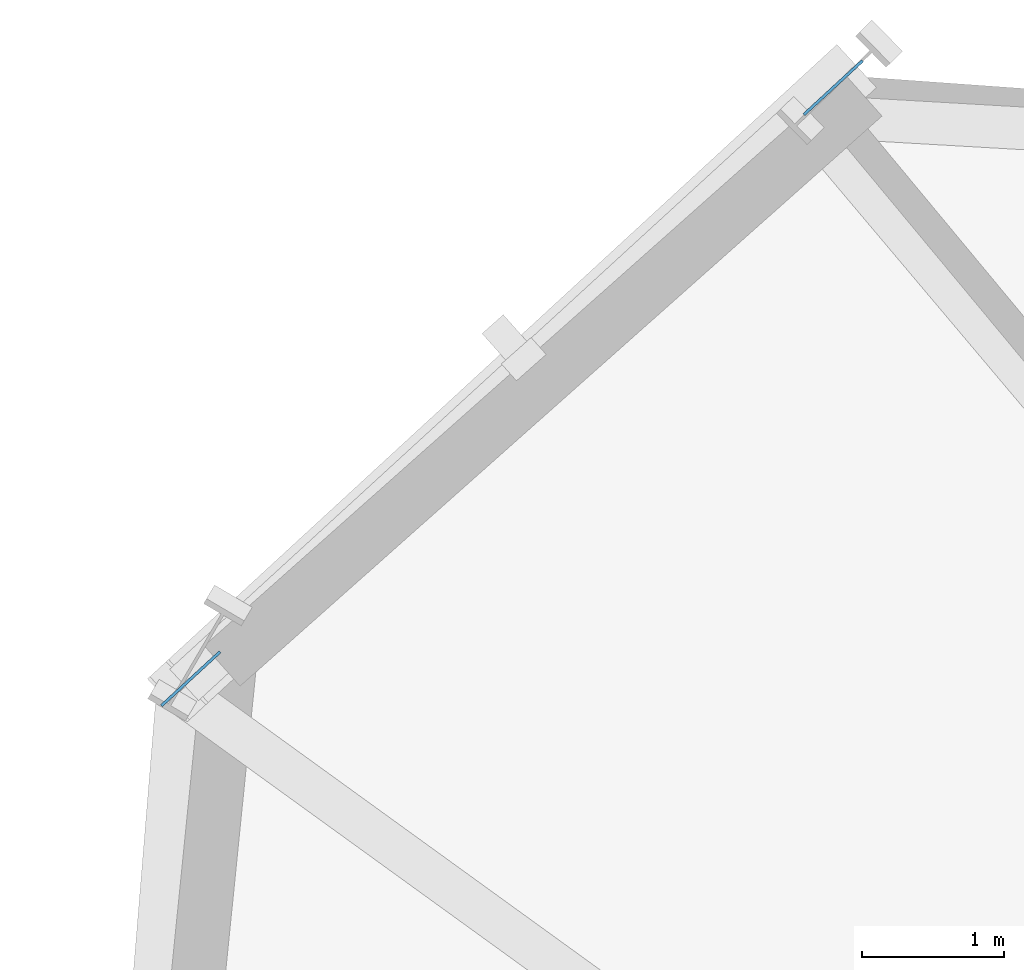
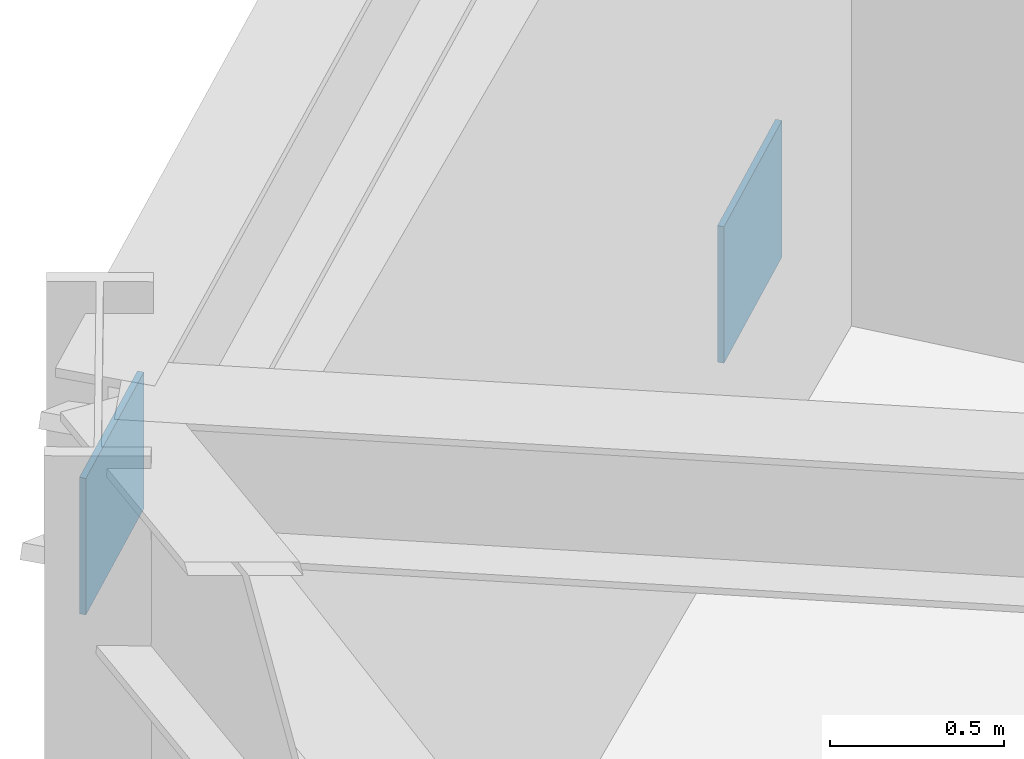
# One storey, part 12 of 19: 2 plates.
"""IFC4 building model written with IfcOpenShell, lengths in metres."""

from ifc_helpers import new_model, si_unit, direction, frame, origin, origin_2d, place, context, subcontext, project, spatial, rectangle, extrude, source, transform, mapped, material, type_object, element, save


model = new_model("IFC4")

# Units and contexts
model_context = context("Model", 3, precision=1e-05, world=origin(), true_north=direction((0.0, 1.0)))
body_context = subcontext(model_context, "Body", "Model", "MODEL_VIEW")
ifc_project = project(units=[si_unit("LENGTHUNIT", "METRE"), si_unit("AREAUNIT", "SQUARE_METRE"), si_unit("VOLUMEUNIT", "CUBIC_METRE"), si_unit("PLANEANGLEUNIT", "RADIAN"), si_unit("MASSUNIT", "GRAM", prefix="KILO")], contexts=[model_context])

# Site, building, storey
site_placement = place(None, origin())
site = spatial("IfcSite", under=ifc_project, at=site_placement, CompositionType="ELEMENT")
building_placement = place(site_placement, origin())
building = spatial("IfcBuilding", under=site, at=building_placement, Name="Olszyna Solenne Hotel", CompositionType="ELEMENT")
storey_placement = place(building_placement, frame((0.0, 0.0, 71.89990234375)))
storey = spatial("IfcBuildingStorey", under=building, at=storey_placement, Name="L18", CompositionType="ELEMENT", Elevation=71.89990234375)

# Plates
ifc_material = material(Name="Steel S355J2", Category="steel")
plate_type = type_object("IfcPlateType", Name="GP-ND2", PredefinedType="USERDEFINED", material=ifc_material)
shared_shape = source(origin(), body_context, "Body", "SweptSolid", [
    extrude(rectangle(XDim=0.56005859375, YDim=0.02001953125, at=origin_2d()), origin(), (0.0, 0.0, 1.0), 0.47998046875),
])
for number, where, z_axis, x_axis, name in (
    (1, (22.54052734375, 45.37255859375, -0.164794921875), (0.0, 0.0, 1.0), (-0.735860767993, -0.677132874795, 0.0), "Brace end connection gusset plate GP-ND2 EP-BR-L18-2-1"),
    (2, (18.014892578125, 41.208740234375, 3.06005859375), (0.0, 0.0, 1.0), (-0.735860767993, -0.677132874795, 0.0), "Brace end connection gusset plate GP-ND2 EP-BR-L18-2-2"),
):
    element("IfcPlate", number, at=place(storey_placement, frame(where, z_axis=z_axis, x_axis=x_axis)), inside=storey, type_object=plate_type, Name=name, ObjectType="GUSSET_PLATE", PredefinedType="USERDEFINED", context=body_context, shape_type="MappedRepresentation", body=[
        mapped(shared_shape, transform((0.0, 0.0, 0.0), x_axis=(1.0, 0.0, 0.0), y_axis=(0.0, 1.0, 0.0), z_axis=(0.0, 0.0, 1.0), scale=1.0)),
    ])

save(model, "model.ifc")
